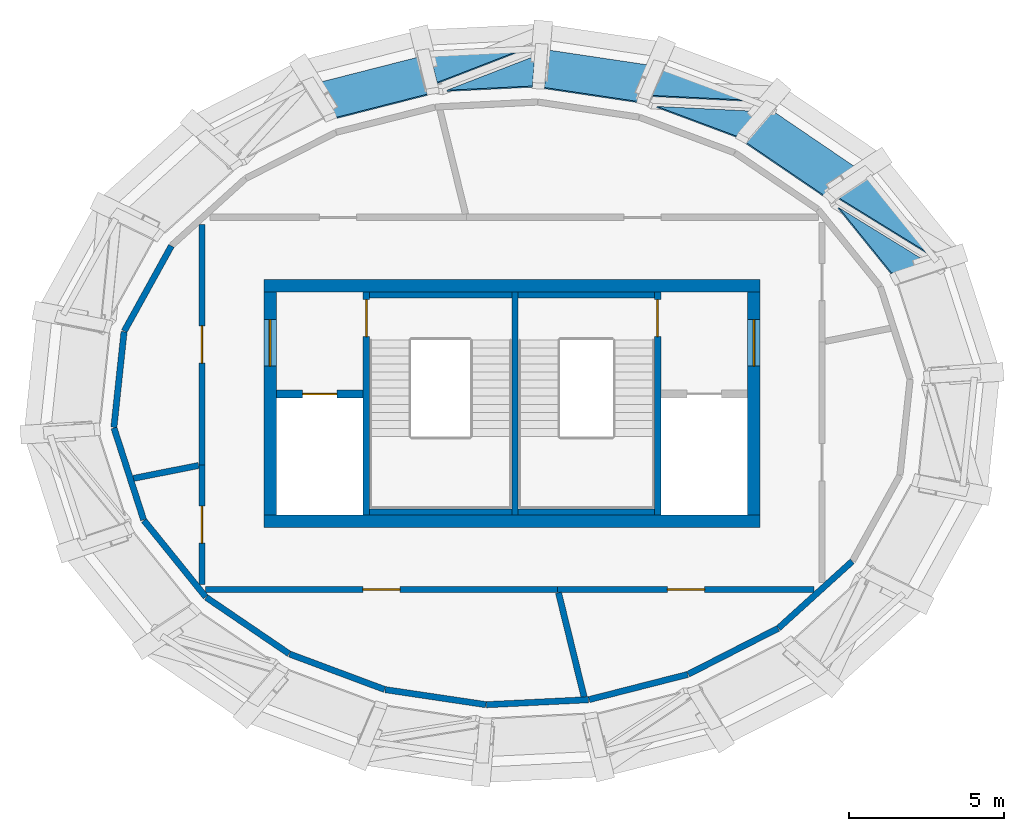
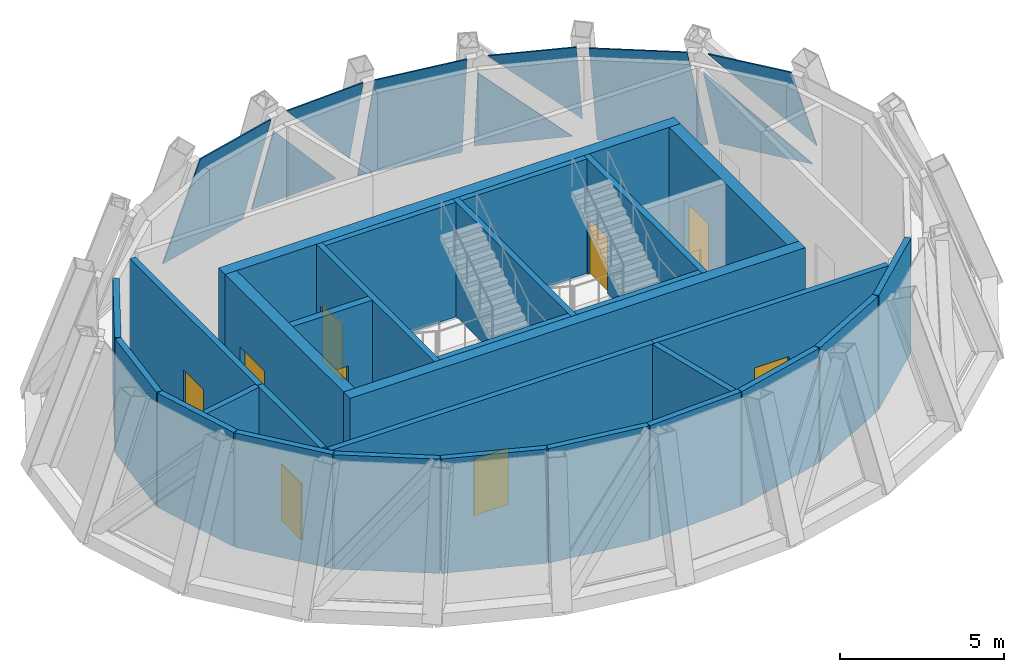
# One storey, part 4 of 6: 27 walls, 9 doors, 9 plates, 9 openings, 1 element without a shape of its own.
"""IFC4 building model written with IfcOpenShell, lengths in metres."""

from ifc_helpers import new_model, si_unit, direction, frame, frame_2d, origin, place, context, subcontext, project, spatial, polyline, rectangle, outline, extrude, source, transform, mapped, material, layer, layer_set, type_object, element, fill, aggregate, save


model = new_model("IFC4")

# Units and contexts
model_context = context("Model", 3, precision=1e-05, world=origin(), true_north=direction((0.0, 1.0)))
body_context = subcontext(model_context, "Body", "Model", "MODEL_VIEW")
ifc_project = project(units=[si_unit("LENGTHUNIT", "METRE"), si_unit("AREAUNIT", "SQUARE_METRE"), si_unit("VOLUMEUNIT", "CUBIC_METRE"), si_unit("PLANEANGLEUNIT", "RADIAN"), si_unit("MASSUNIT", "GRAM", prefix="KILO")], contexts=[model_context])

# Site, building, storey
site_placement = place(None, origin())
site = spatial("IfcSite", under=ifc_project, at=site_placement, CompositionType="ELEMENT")
building_placement = place(site_placement, origin())
building = spatial("IfcBuilding", under=site, at=building_placement, Name="Embergate Tower", CompositionType="ELEMENT")
storey_placement = place(building_placement, frame((0.0, 0.0, 365.5)))
storey = spatial("IfcBuildingStorey", under=building, at=storey_placement, Name="L83", CompositionType="ELEMENT", Elevation=365.5)

# Curtain wall, plates
ifc_material_1 = material(Name="Aluminium and glass", Category="aluminium")
curtain_wall_type = type_object("IfcCurtainWallType", Name="Crown facet glazing", PredefinedType="NOTDEFINED", material=ifc_material_1)
curtain_wall_placement = place(storey_placement, origin())
curtain_wall = element("IfcCurtainWall", 1, at=curtain_wall_placement, inside=storey, type_object=curtain_wall_type, Name="Crown facet glazing L83", ObjectType="CROWN FACET GLAZING", PredefinedType="USERDEFINED")
ifc_material_2 = material(Name="Triple glazing, low-emissivity coating", Category="glass")
ifc_layer_1 = layer(ifc_material_2, 0.0400390625)
ifc_layer_set_1 = layer_set([ifc_layer_1], Name="Triple glazing, low-emissivity coating")
plate_type = type_object("IfcPlateType", Name="Crown facet glazing unit", PredefinedType="CURTAIN_PANEL", material=ifc_layer_set_1)
shared_shape_1 = source(origin(), body_context, "Body", "SweptSolid", [
    extrude(outline(polyline([(0.0, 0.0), (3.028564453125, 0.0), (3.1328125, 3.526123046875), (0.0, 0.0)])), origin(), (0.0, 0.0, -1.0), 0.0400390625),
])
plate_1_placement = place(storey_placement, frame((13.384765625, 4.87548828125, 0.1240234375), z_axis=(0.738870980715, 0.596700903916, 0.313077794045), x_axis=(-0.628286443884, 0.777982097758, 0.0)))
plate_1 = element("IfcPlate", 2, at=plate_1_placement, type_object=plate_type, Name="CW panel 2.1", PredefinedType="CURTAIN_PANEL", context=body_context, shape_type="MappedRepresentation", body=[
    mapped(shared_shape_1, transform((0.0, 0.0, 0.0))),
])
shared_shape_2 = source(origin(), body_context, "Body", "SweptSolid", [
    extrude(outline(polyline([(0.0, 0.0), (4.71533203125, 0.0), (2.9091796875, 2.033203125), (0.0, 0.0)])), origin(), (0.0, 0.0, -1.0), 0.0400390625),
])
plate_2_placement = place(storey_placement, frame((13.367919921875, 4.5703125, 0.986083984375), z_axis=(0.738844183464, 0.596719413809, 0.313105754889), x_axis=(-0.599403308748, 0.369624274091, 0.70999547144)))
plate_2 = element("IfcPlate", 3, at=plate_2_placement, type_object=plate_type, Name="CW panel 2.2", PredefinedType="CURTAIN_PANEL", context=body_context, shape_type="MappedRepresentation", body=[
    mapped(shared_shape_2, transform((0.0, 0.0, 0.0))),
])
shared_shape_3 = source(origin(), body_context, "Body", "SweptSolid", [
    extrude(outline(polyline([(0.0, 0.0), (3.391845703125, 0.0), (3.53564453125, 4.51318359375), (0.541259765625, 4.513427734375), (0.0, 0.0)])), origin(), (0.0, 0.0, -1.0), 0.0400390625),
])
plate_3_placement = place(storey_placement, frame((11.234619140625, 7.510986328125, 0.005859375), z_axis=(0.537621178228, 0.790643599254, 0.292995166648), x_axis=(-0.826935317941, 0.562297056653, 4.680038e-06)))
plate_3 = element("IfcPlate", 4, at=plate_3_placement, type_object=plate_type, Name="CW panel 3.1", PredefinedType="CURTAIN_PANEL", context=body_context, shape_type="MappedRepresentation", body=[
    mapped(shared_shape_3, transform((0.0, 0.0, 0.0))),
])
shared_shape_4 = source(origin(), body_context, "Body", "SweptSolid", [
    extrude(outline(polyline([(0.0, 0.0), (3.040283203125, 0.0), (3.085693359375, 3.525634765625), (0.0, 0.0)])), origin(), (0.0, 0.0, -1.0), 0.0400390625),
])
plate_4_placement = place(storey_placement, frame((7.760986328125, 9.77197265625, 0.150634765625), z_axis=(0.335764956496, 0.899924132193, 0.278205769684), x_axis=(-0.936912014244, 0.349565269393, 0.0)))
plate_4 = element("IfcPlate", 5, at=plate_4_placement, type_object=plate_type, Name="CW panel 4.1", PredefinedType="CURTAIN_PANEL", context=body_context, shape_type="MappedRepresentation", body=[
    mapped(shared_shape_4, transform((0.0, 0.0, 0.0))),
])
shared_shape_5 = source(origin(), body_context, "Body", "SweptSolid", [
    extrude(outline(polyline([(0.0, 0.0), (4.703125, 0.0), (2.898681640625, 2.061767578125), (0.0, 0.0)])), origin(), (0.0, 0.0, -1.0), 0.0400390625),
])
plate_5_placement = place(storey_placement, frame((7.919189453125, 9.418212890625, 0.9423828125), z_axis=(0.335850537793, 0.899880875219, 0.278242388357), x_axis=(-0.690207384258, 0.034105464159, 0.722807432191)))
plate_5 = element("IfcPlate", 6, at=plate_5_placement, type_object=plate_type, Name="CW panel 4.2", PredefinedType="CURTAIN_PANEL", context=body_context, shape_type="MappedRepresentation", body=[
    mapped(shared_shape_5, transform((0.0, 0.0, 0.0))),
])
shared_shape_6 = source(origin(), body_context, "Body", "SweptSolid", [
    extrude(outline(polyline([(0.0, 0.0), (3.416259765625, 0.0), (3.335205078125, 4.493408203125), (0.31689453125, 4.493408203125), (0.0, 0.0)])), origin(), (0.0, 0.0, -1.0), 0.0400390625),
])
plate_6_placement = place(storey_placement, frame((4.52490234375, 10.895751953125, 0.01123046875), z_axis=(0.142069641583, 0.952294013056, 0.270096889353), x_axis=(-0.989053843996, 0.147555052962, -4.696128e-06)))
plate_6 = element("IfcPlate", 7, at=plate_6_placement, type_object=plate_type, Name="CW panel 5.1", PredefinedType="CURTAIN_PANEL", context=body_context, shape_type="MappedRepresentation", body=[
    mapped(shared_shape_6, transform((0.0, 0.0, 0.0))),
])
shared_shape_7 = source(origin(), body_context, "Body", "SweptSolid", [
    extrude(outline(polyline([(0.0, 0.0), (3.054443359375, 0.0), (2.86669921875, 3.539306640625), (0.0, 0.0)])), origin(), (0.0, 0.0, -1.0), 0.0400390625),
])
plate_7_placement = place(storey_placement, frame((0.400390625, 11.440673828125, 0.150146484375), z_axis=(-0.047119881847, 0.962107914308, 0.268566710448), x_axis=(-0.998802844972, -0.048917040743, 0.0)))
plate_7 = element("IfcPlate", 8, at=plate_7_placement, type_object=plate_type, Name="CW panel 6.1", PredefinedType="CURTAIN_PANEL", context=body_context, shape_type="MappedRepresentation", body=[
    mapped(shared_shape_7, transform((0.0, 0.0, 0.0))),
])
shared_shape_8 = source(origin(), body_context, "Body", "SweptSolid", [
    extrude(outline(polyline([(0.0, 0.0), (4.59033203125, 0.0), (2.850830078125, 2.147705078125), (0.0, 0.0)])), origin(), (0.0, 0.0, -1.0), 0.0400390625),
])
plate_8_placement = place(storey_placement, frame((0.736083984375, 11.1982421875, 0.910400390625), z_axis=(-0.047224857512, 0.962110745747, 0.268538127182), x_axis=(-0.618432900758, -0.239278433136, 0.748522931309)))
plate_8 = element("IfcPlate", 9, at=plate_8_placement, type_object=plate_type, Name="CW panel 6.2", PredefinedType="CURTAIN_PANEL", context=body_context, shape_type="MappedRepresentation", body=[
    mapped(shared_shape_8, transform((0.0, 0.0, 0.0))),
])
shared_shape_9 = source(origin(), body_context, "Body", "SweptSolid", [
    extrude(outline(polyline([(0.0, 0.0), (3.412353515625, 0.0), (3.022216796875, 4.496337890625), (0.007080078125, 4.49609375), (0.0, 0.0)])), origin(), (0.0, 0.0, -1.0), 0.0400390625),
])
plate_9_placement = place(storey_placement, frame((-3.031982421875, 11.166015625, 0.002685546875), z_axis=(-0.237886062316, 0.932039456274, 0.273336190987), x_axis=(-0.968937497687, -0.247305732896, 7.225048e-06)))
plate_9 = element("IfcPlate", 10, at=plate_9_placement, type_object=plate_type, Name="CW panel 7.1", PredefinedType="CURTAIN_PANEL", context=body_context, shape_type="MappedRepresentation", body=[
    mapped(shared_shape_9, transform((0.0, 0.0, 0.0))),
])
aggregate(curtain_wall, [plate_1, plate_2, plate_3, plate_4, plate_5, plate_6, plate_7, plate_8, plate_9])

# Walls
ifc_material_3 = material(Name="Concrete C50", Category="concrete")
ifc_layer_2 = layer(ifc_material_3, 0.39990234375)
ifc_layer_set_2 = layer_set([ifc_layer_2], Name="Concrete C50")
wall_type_1 = type_object("IfcWallType", Name="Core outer wall C50 400", PredefinedType="SHEAR", material=ifc_layer_set_2)
shared_shape_10 = source(origin(), body_context, "Body", "SweptSolid", [
    extrude(rectangle(XDim=16.0, YDim=0.39990234375, at=frame_2d((8.0, 0.0))), origin(), (0.0, 0.0, 1.0), 4.5),
])
for number, where, z_axis, x_axis, name in (
    (11, (-8.0, 3.800048828125, -0.25), (0.0, 0.0, 1.0), (1.0, 0.0, 0.0), "CW-L83-N"),
    (12, (-8.0, -3.800048828125, -0.25), (0.0, 0.0, 1.0), (1.0, 0.0, 0.0), "CW-L83-S"),
):
    element("IfcWall", number, at=place(storey_placement, frame(where, z_axis=z_axis, x_axis=x_axis)), inside=storey, type_object=wall_type_1, Name=name, PredefinedType="SHEAR", context=body_context, shape_type="MappedRepresentation", body=[
        mapped(shared_shape_10, transform((0.0, 0.0, 0.0))),
    ])

# Wall, opening, door
shared_shape_11 = source(origin(), body_context, "Body", "SweptSolid", [
    extrude(rectangle(XDim=7.2001953125, YDim=0.39990234375, at=frame_2d((3.60009765625, 0.0))), origin(), (0.0, 0.0, 1.0), 4.5),
])
wall_1_placement = place(storey_placement, frame((7.800048828125, -3.60009765625, -0.25), z_axis=(0.0, 0.0, 1.0), x_axis=(0.0, 1.0, 0.0)))
wall_1 = element("IfcWall", 13, at=wall_1_placement, inside=storey, type_object=wall_type_1, Name="CW-L83-E", PredefinedType="SHEAR", context=body_context, shape_type="MappedRepresentation", body=[
    mapped(shared_shape_11, transform((0.0, 0.0, 0.0))),
])
shared_shape_12 = source(origin(), body_context, "Body", "SweptSolid", [
    extrude(rectangle(XDim=1.5, YDim=2.10009765625, at=frame_2d((0.75, 1.050048828125))), frame((0.0, 0.2099609375, 0.0), z_axis=(0.0, -1.0, 0.0), x_axis=(1.0, 0.0, 0.0)), (0.0, 0.0, 1.0), 0.419921875),
])
opening_1_placement = place(wall_1_placement, frame((4.800048828125, 0.0, 0.25)))
opening_1 = element("IfcOpeningElement", 14, at=opening_1_placement, cuts=wall_1, Name="Opening IF-3", PredefinedType="OPENING", context=body_context, shape_type="MappedRepresentation", body=[
    mapped(shared_shape_12, transform((0.0, 0.0, 0.0))),
])
ifc_material_4 = material(Name="Lobby fire door pair 1500")
door_type_1 = type_object("IfcDoorType", Name="Lobby fire door pair 1500", OperationType="DOUBLE_DOOR_SINGLE_SWING", PredefinedType="DOOR", material=ifc_material_4)
shared_shape_13 = source(origin(), body_context, "Body", "SweptSolid", [
    extrude(rectangle(XDim=1.5, YDim=2.10009765625, at=frame_2d((0.75, 1.050048828125))), frame((0.0, 0.02490234375, 0.0), z_axis=(0.0, -1.0, 0.0), x_axis=(1.0, 0.0, 0.0)), (0.0, 0.0, 1.0), 0.050048828125),
])
door_1_placement = place(opening_1_placement, origin())
door_1 = element("IfcDoor", 15, at=door_1_placement, inside=storey, type_object=door_type_1, Name="IF-3 door", OperationType="DOUBLE_DOOR_SINGLE_SWING", OverallHeight=2.10009765625, OverallWidth=1.5, PredefinedType="DOOR", context=body_context, shape_type="MappedRepresentation", body=[
    mapped(shared_shape_13, transform((0.0, 0.0, 0.0))),
])
fill(opening_1, door_1)

wall_2_placement = place(storey_placement, frame((-7.800048828125, -3.60009765625, -0.25), z_axis=(0.0, 0.0, 1.0), x_axis=(0.0, 1.0, 0.0)))
wall_2 = element("IfcWall", 16, at=wall_2_placement, inside=storey, type_object=wall_type_1, Name="CW-L83-W", PredefinedType="SHEAR", context=body_context, shape_type="MappedRepresentation", body=[
    mapped(shared_shape_11, transform((0.0, 0.0, 0.0))),
])
opening_2_placement = place(wall_2_placement, frame((4.800048828125, 0.0, 0.25)))
opening_2 = element("IfcOpeningElement", 17, at=opening_2_placement, cuts=wall_2, Name="Opening IF-3", PredefinedType="OPENING", context=body_context, shape_type="MappedRepresentation", body=[
    mapped(shared_shape_12, transform((0.0, 0.0, 0.0))),
])
door_2_placement = place(opening_2_placement, origin())
door_2 = element("IfcDoor", 18, at=door_2_placement, inside=storey, type_object=door_type_1, Name="IF-3 door", OperationType="DOUBLE_DOOR_SINGLE_SWING", OverallHeight=2.10009765625, OverallWidth=1.5, PredefinedType="DOOR", context=body_context, shape_type="MappedRepresentation", body=[
    mapped(shared_shape_13, transform((0.0, 0.0, 0.0))),
])
fill(opening_2, door_2)

# Walls
ifc_material_5 = material(Name="Terracotta louvre cladding on insulated backing", Category="masonry")
ifc_layer_3 = layer(ifc_material_5, 0.199951171875)
ifc_layer_set_3 = layer_set([ifc_layer_3], Name="Terracotta louvre cladding on insulated backing")
wall_type_2 = type_object("IfcWallType", Name="Terracotta louvre wall", PredefinedType="SOLIDWALL", material=ifc_layer_set_3)
shared_shape_14 = source(origin(), body_context, "Body", "SweptSolid", [
    extrude(rectangle(XDim=3.174560546875, YDim=0.199951171875, at=frame_2d((1.58740234375, 0.0))), origin(), (0.0, 0.0, 1.0), 4.25),
])
wall_3_placement = place(storey_placement, frame((-9.87646484375, -6.24560546875, 0.0), z_axis=(0.0, 0.0, 1.0), x_axis=(-0.628308465475, 0.777964312943, 0.0)))
element("IfcWall", 19, at=wall_3_placement, inside=storey, type_object=wall_type_2, Name="Crown louvre wall 12", PredefinedType="SOLIDWALL", context=body_context, shape_type="MappedRepresentation", body=[
    mapped(shared_shape_14, transform((0.0, 0.0, 0.0))),
])
shared_shape_15 = source(origin(), body_context, "Body", "SweptSolid", [
    extrude(rectangle(XDim=3.23046875, YDim=0.199951171875, at=frame_2d((1.615234375, 0.0))), origin(), (0.0, 0.0, 1.0), 4.25),
])
wall_4_placement = place(storey_placement, frame((-7.190673828125, -8.07568359375, 0.0), z_axis=(0.0, 0.0, 1.0), x_axis=(-0.826887140507, 0.562367901701, 0.0)))
element("IfcWall", 20, at=wall_4_placement, inside=storey, type_object=wall_type_2, Name="Crown louvre wall 13", PredefinedType="SOLIDWALL", context=body_context, shape_type="MappedRepresentation", body=[
    mapped(shared_shape_15, transform((0.0, 0.0, 0.0))),
])
shared_shape_16 = source(origin(), body_context, "Body", "SweptSolid", [
    extrude(rectangle(XDim=3.269287109375, YDim=0.199951171875, at=frame_2d((1.634765625, 0.0))), origin(), (0.0, 0.0, 1.0), 4.25),
])
wall_5_placement = place(storey_placement, frame((-4.110107421875, -9.227783203125, 0.0), z_axis=(0.0, 0.0, 1.0), x_axis=(-0.936886529357, 0.34963356691, 0.0)))
element("IfcWall", 21, at=wall_5_placement, inside=storey, type_object=wall_type_2, Name="Crown louvre wall 14", PredefinedType="SOLIDWALL", context=body_context, shape_type="MappedRepresentation", body=[
    mapped(shared_shape_16, transform((0.0, 0.0, 0.0))),
])
shared_shape_17 = source(origin(), body_context, "Body", "SweptSolid", [
    extrude(rectangle(XDim=3.28759765625, YDim=0.199951171875, at=frame_2d((1.643798828125, 0.0))), origin(), (0.0, 0.0, 1.0), 4.25),
])
wall_6_placement = place(storey_placement, frame((-0.839111328125, -9.718017578125, 0.0), z_axis=(0.0, 0.0, 1.0), x_axis=(-0.989054235862, 0.147552426358, 0.0)))
element("IfcWall", 22, at=wall_6_placement, inside=storey, type_object=wall_type_2, Name="Crown louvre wall 15", PredefinedType="SOLIDWALL", context=body_context, shape_type="MappedRepresentation", body=[
    mapped(shared_shape_17, transform((0.0, 0.0, 0.0))),
])
shared_shape_18 = source(origin(), body_context, "Body", "SweptSolid", [
    extrude(rectangle(XDim=3.29150390625, YDim=0.199951171875, at=frame_2d((1.645751953125, 0.0))), origin(), (0.0, 0.0, 1.0), 4.25),
])
wall_7_placement = place(storey_placement, frame((2.46826171875, -9.5576171875, 0.0), z_axis=(0.0, 0.0, 1.0), x_axis=(-0.998797426177, -0.049027558199, 0.0)))
element("IfcWall", 23, at=wall_7_placement, inside=storey, type_object=wall_type_2, Name="Crown louvre wall 16", PredefinedType="SOLIDWALL", context=body_context, shape_type="MappedRepresentation", body=[
    mapped(shared_shape_18, transform((0.0, 0.0, 0.0))),
])
shared_shape_19 = source(origin(), body_context, "Body", "SweptSolid", [
    extrude(rectangle(XDim=3.280029296875, YDim=0.199951171875, at=frame_2d((1.64013671875, 0.0))), origin(), (0.0, 0.0, 1.0), 4.25),
])
wall_8_placement = place(storey_placement, frame((5.666015625, -8.7431640625, 0.0), z_axis=(0.0, 0.0, 1.0), x_axis=(-0.968908599462, -0.247418927911, 0.0)))
element("IfcWall", 24, at=wall_8_placement, inside=storey, type_object=wall_type_2, Name="Crown louvre wall 17", PredefinedType="SOLIDWALL", context=body_context, shape_type="MappedRepresentation", body=[
    mapped(shared_shape_19, transform((0.0, 0.0, 0.0))),
])
shared_shape_20 = source(origin(), body_context, "Body", "SweptSolid", [
    extrude(rectangle(XDim=3.25341796875, YDim=0.199951171875, at=frame_2d((1.626708984375, 0.0))), origin(), (0.0, 0.0, 1.0), 4.25),
])
wall_9_placement = place(storey_placement, frame((8.582275390625, -7.257080078125, 0.0), z_axis=(0.0, 0.0, 1.0), x_axis=(-0.89068931978, -0.45461251152, 0.0)))
element("IfcWall", 25, at=wall_9_placement, inside=storey, type_object=wall_type_2, Name="Crown louvre wall 18", PredefinedType="SOLIDWALL", context=body_context, shape_type="MappedRepresentation", body=[
    mapped(shared_shape_20, transform((0.0, 0.0, 0.0))),
])
shared_shape_21 = source(origin(), body_context, "Body", "SweptSolid", [
    extrude(rectangle(XDim=3.205322265625, YDim=0.199951171875, at=frame_2d((1.6025390625, 0.0))), origin(), (0.0, 0.0, 1.0), 4.25),
])
wall_10_placement = place(storey_placement, frame((10.973876953125, -5.09423828125, 0.0), z_axis=(0.0, 0.0, 1.0), x_axis=(-0.741131432131, -0.671359963289, 0.0)))
element("IfcWall", 26, at=wall_10_placement, inside=storey, type_object=wall_type_2, Name="Crown louvre wall 19", PredefinedType="SOLIDWALL", context=body_context, shape_type="MappedRepresentation", body=[
    mapped(shared_shape_21, transform((0.0, 0.0, 0.0))),
])
shared_shape_22 = source(origin(), body_context, "Body", "SweptSolid", [
    extrude(rectangle(XDim=3.14208984375, YDim=0.199951171875, at=frame_2d((1.571044921875, 0.0))), origin(), (0.0, 0.0, 1.0), 4.25),
])
wall_11_placement = place(storey_placement, frame((-12.506103515625, 2.328857421875, 0.0), z_axis=(0.0, 0.0, 1.0), x_axis=(0.48375502956, 0.875203445706, 0.0)))
element("IfcWall", 27, at=wall_11_placement, inside=storey, type_object=wall_type_2, Name="Crown louvre wall 9", PredefinedType="SOLIDWALL", context=body_context, shape_type="MappedRepresentation", body=[
    mapped(shared_shape_22, transform((0.0, 0.0, 0.0))),
])
shared_shape_23 = source(origin(), body_context, "Body", "SweptSolid", [
    extrude(rectangle(XDim=3.101318359375, YDim=0.199951171875, at=frame_2d((1.55078125, 0.0))), origin(), (0.0, 0.0, 1.0), 4.25),
])
wall_12_placement = place(storey_placement, frame((-12.840087890625, -0.773681640625, 0.0), z_axis=(0.0, 0.0, 1.0), x_axis=(0.105721464197, 0.994395782376, 0.0)))
element("IfcWall", 28, at=wall_12_placement, inside=storey, type_object=wall_type_2, Name="Crown louvre wall 10", PredefinedType="SOLIDWALL", context=body_context, shape_type="MappedRepresentation", body=[
    mapped(shared_shape_23, transform((0.0, 0.0, 0.0))),
])
shared_shape_24 = source(origin(), body_context, "Body", "SweptSolid", [
    extrude(rectangle(XDim=3.1162109375, YDim=0.199951171875, at=frame_2d((1.55810546875, 0.0))), origin(), (0.0, 0.0, 1.0), 4.25),
])
wall_13_placement = place(storey_placement, frame((-11.880615234375, -3.758544921875, 0.0), z_axis=(0.0, 0.0, 1.0), x_axis=(-0.307282044067, 0.951618487312, 0.0)))
element("IfcWall", 29, at=wall_13_placement, inside=storey, type_object=wall_type_2, Name="Crown louvre wall 11", PredefinedType="SOLIDWALL", context=body_context, shape_type="MappedRepresentation", body=[
    mapped(shared_shape_24, transform((0.0, 0.0, 0.0))),
])
ifc_layer_4 = layer(ifc_material_3, 0.199951171875)
ifc_layer_set_4 = layer_set([ifc_layer_4], Name="Concrete C50")
wall_type_3 = type_object("IfcWallType", Name="Stair enclosure wall reinforced concrete 250", PredefinedType="SHEAR", material=ifc_layer_set_4)
shared_shape_25 = source(origin(), body_context, "Body", "SweptSolid", [
    extrude(rectangle(XDim=7.2001953125, YDim=0.199951171875, at=frame_2d((3.60009765625, 0.0))), origin(), (0.0, 0.0, 1.0), 4.25),
])
wall_14_placement = place(storey_placement, frame((0.10009765625, 3.60009765625, 0.0), z_axis=(0.0, 0.0, 1.0), x_axis=(0.0, -1.0, 0.0)))
element("IfcWall", 30, at=wall_14_placement, inside=storey, type_object=wall_type_3, Name="SE-1 wall", PredefinedType="SHEAR", context=body_context, shape_type="MappedRepresentation", body=[
    mapped(shared_shape_25, transform((0.0, 0.0, 0.0))),
])

# Wall, opening, door
wall_15_placement = place(storey_placement, frame((4.699951171875, -3.60009765625, 0.0), z_axis=(0.0, 0.0, 1.0), x_axis=(0.0, 1.0, 0.0)))
wall_15 = element("IfcWall", 31, at=wall_15_placement, inside=storey, type_object=wall_type_3, Name="SE-1 wall", PredefinedType="SHEAR", context=body_context, shape_type="MappedRepresentation", body=[
    mapped(shared_shape_25, transform((0.0, 0.0, 0.0))),
])
shared_shape_26 = source(origin(), body_context, "Body", "SweptSolid", [
    extrude(rectangle(XDim=1.199951171875, YDim=2.10009765625, at=frame_2d((0.60009765625, 1.050048828125))), frame((0.0, 0.10986328125, 0.0), z_axis=(0.0, -1.0, 0.0), x_axis=(1.0, 0.0, 0.0)), (0.0, 0.0, 1.0), 0.219970703125),
])
opening_3_placement = place(wall_15_placement, frame((5.75, 0.0, 0.0)))
opening_3 = element("IfcOpeningElement", 32, at=opening_3_placement, cuts=wall_15, Name="Opening IF-2", PredefinedType="OPENING", context=body_context, shape_type="MappedRepresentation", body=[
    mapped(shared_shape_26, transform((0.0, 0.0, 0.0))),
])
ifc_material_6 = material(Name="Stair enclosure door 1200")
door_type_2 = type_object("IfcDoorType", Name="Stair enclosure door 1200", OperationType="SINGLE_SWING_LEFT", PredefinedType="DOOR", material=ifc_material_6)
shared_shape_27 = source(origin(), body_context, "Body", "SweptSolid", [
    extrude(rectangle(XDim=1.199951171875, YDim=2.10009765625, at=frame_2d((0.60009765625, 1.050048828125))), frame((0.0, 0.02490234375, 0.0), z_axis=(0.0, -1.0, 0.0), x_axis=(1.0, 0.0, 0.0)), (0.0, 0.0, 1.0), 0.050048828125),
])
door_3_placement = place(opening_3_placement, origin())
door_3 = element("IfcDoor", 33, at=door_3_placement, inside=storey, type_object=door_type_2, Name="IF-2 door", OperationType="SINGLE_SWING_RIGHT", OverallHeight=2.10009765625, OverallWidth=1.199951171875, PredefinedType="DOOR", context=body_context, shape_type="MappedRepresentation", body=[
    mapped(shared_shape_27, transform((0.0, 0.0, 0.0))),
])
fill(opening_3, door_3)

wall_16_placement = place(storey_placement, frame((-4.699951171875, 3.60009765625, 0.0), z_axis=(0.0, 0.0, 1.0), x_axis=(0.0, -1.0, 0.0)))
wall_16 = element("IfcWall", 34, at=wall_16_placement, inside=storey, type_object=wall_type_3, Name="SE-1 wall", PredefinedType="SHEAR", context=body_context, shape_type="MappedRepresentation", body=[
    mapped(shared_shape_25, transform((0.0, 0.0, 0.0))),
])
opening_4_placement = place(wall_16_placement, frame((0.25, 0.0, 0.0)))
opening_4 = element("IfcOpeningElement", 35, at=opening_4_placement, cuts=wall_16, Name="Opening IF-2", PredefinedType="OPENING", context=body_context, shape_type="MappedRepresentation", body=[
    mapped(shared_shape_26, transform((0.0, 0.0, 0.0))),
])
door_4_placement = place(opening_4_placement, origin())
door_4 = element("IfcDoor", 36, at=door_4_placement, inside=storey, type_object=door_type_2, Name="IF-2 door", OperationType="SINGLE_SWING_LEFT", OverallHeight=2.10009765625, OverallWidth=1.199951171875, PredefinedType="DOOR", context=body_context, shape_type="MappedRepresentation", body=[
    mapped(shared_shape_27, transform((0.0, 0.0, 0.0))),
])
fill(opening_4, door_4)

ifc_layer_5 = layer(ifc_material_3, 0.25)
ifc_layer_set_5 = layer_set([ifc_layer_5], Name="Concrete C50")
wall_type_4 = type_object("IfcWallType", Name="Hoistway wall reinforced concrete 250", PredefinedType="SHEAR", material=ifc_layer_set_5)
shared_shape_28 = source(origin(), body_context, "Body", "SweptSolid", [
    extrude(rectangle(XDim=2.800048828125, YDim=0.25, at=frame_2d((1.39990234375, 0.0))), origin(), (0.0, 0.0, 1.0), 4.25),
])
wall_17_placement = place(storey_placement, frame((-4.800048828125, 0.300048828125, 0.0), z_axis=(0.0, 0.0, 1.0), x_axis=(-1.0, 0.0, 0.0)))
wall_17 = element("IfcWall", 37, at=wall_17_placement, inside=storey, type_object=wall_type_4, Name="HW-1 wall", PredefinedType="SHEAR", context=body_context, shape_type="MappedRepresentation", body=[
    mapped(shared_shape_28, transform((0.0, 0.0, 0.0))),
])
shared_shape_29 = source(origin(), body_context, "Body", "SweptSolid", [
    extrude(rectangle(XDim=1.10009765625, YDim=2.10009765625, at=frame_2d((0.550048828125, 1.050048828125))), frame((0.0, 0.135009765625, 0.0), z_axis=(0.0, -1.0, 0.0), x_axis=(1.0, 0.0, 0.0)), (0.0, 0.0, 1.0), 0.27001953125),
])
opening_5_placement = place(wall_17_placement, frame((0.85009765625, 0.0, 0.0)))
opening_5 = element("IfcOpeningElement", 38, at=opening_5_placement, cuts=wall_17, Name="Opening LD", PredefinedType="OPENING", context=body_context, shape_type="MappedRepresentation", body=[
    mapped(shared_shape_29, transform((0.0, 0.0, 0.0))),
])
ifc_material_7 = material(Name="Landing door sliding 1100")
door_type_3 = type_object("IfcDoorType", Name="Landing door sliding 1100", OperationType="SLIDING_TO_LEFT", PredefinedType="DOOR", material=ifc_material_7)
shared_shape_30 = source(origin(), body_context, "Body", "SweptSolid", [
    extrude(rectangle(XDim=1.10009765625, YDim=2.10009765625, at=frame_2d((0.550048828125, 1.050048828125))), frame((0.0, 0.02490234375, 0.0), z_axis=(0.0, -1.0, 0.0), x_axis=(1.0, 0.0, 0.0)), (0.0, 0.0, 1.0), 0.050048828125),
])
door_5_placement = place(opening_5_placement, origin())
door_5 = element("IfcDoor", 39, at=door_5_placement, inside=storey, type_object=door_type_3, Name="LD door", OperationType="SLIDING_TO_RIGHT", OverallHeight=2.10009765625, OverallWidth=1.10009765625, PredefinedType="DOOR", context=body_context, shape_type="MappedRepresentation", body=[
    mapped(shared_shape_30, transform((0.0, 0.0, 0.0))),
])
fill(opening_5, door_5)

# Walls
shared_shape_31 = source(origin(), body_context, "Body", "SweptSolid", [
    extrude(rectangle(XDim=9.59619140625, YDim=0.199951171875, at=frame_2d((4.798095703125, 0.0))), origin(), (0.0, 0.0, 1.0), 4.25),
])
for number, where, z_axis, x_axis, name in (
    (40, (-4.798095703125, -3.5, 0.0), (0.0, 0.0, 1.0), (1.0, 0.0, 0.0), "SE-1 wall"),
    (41, (4.798095703125, 3.5, 0.0), (0.0, 0.0, 1.0), (-1.0, 0.0, 0.0), "SE-1 wall"),
):
    element("IfcWall", number, at=place(storey_placement, frame(where, z_axis=z_axis, x_axis=x_axis)), inside=storey, type_object=wall_type_3, Name=name, PredefinedType="SHEAR", context=body_context, shape_type="MappedRepresentation", body=[
        mapped(shared_shape_31, transform((0.0, 0.0, 0.0))),
    ])

# Wall, opening, door
ifc_material_8 = material(Name="Blockwork, plastered", Category="masonry")
ifc_layer_6 = layer(ifc_material_8, 0.199951171875)
ifc_layer_set_6 = layer_set([ifc_layer_6], Name="Blockwork, plastered")
wall_type_5 = type_object("IfcWallType", Name="Fire partition wall 200 block", PredefinedType="PARTITIONING", material=ifc_layer_set_6)
shared_shape_32 = source(origin(), body_context, "Body", "SweptSolid", [
    extrude(rectangle(XDim=3.858154296875, YDim=0.199951171875, at=frame_2d((1.92919921875, 0.0))), origin(), (0.0, 0.0, 1.0), 4.25),
])
wall_18_placement = place(storey_placement, frame((-10.0, -5.840087890625, 0.0), z_axis=(0.0, 0.0, 1.0), x_axis=(0.0, 1.0, 0.0)))
wall_18 = element("IfcWall", 42, at=wall_18_placement, inside=storey, type_object=wall_type_5, Name="Partition 001", PredefinedType="PARTITIONING", context=body_context, shape_type="MappedRepresentation", body=[
    mapped(shared_shape_32, transform((0.0, 0.0, 0.0))),
])
opening_6_placement = place(wall_18_placement, frame((1.3291015625, 0.0, 0.0)))
opening_6 = element("IfcOpeningElement", 43, at=opening_6_placement, cuts=wall_18, Name="Opening DS-293", PredefinedType="OPENING", context=body_context, shape_type="MappedRepresentation", body=[
    mapped(shared_shape_26, transform((0.0, 0.0, 0.0))),
])
ifc_material_9 = material(Name="Timber door leaf, steel frame", Category="steel")
door_type_4 = type_object("IfcDoorType", Name="Plant door 1200x2100", OperationType="SINGLE_SWING_LEFT", PredefinedType="DOOR", material=ifc_material_9)
shared_shape_33 = source(origin(), body_context, "Body", "SweptSolid", [
    extrude(rectangle(XDim=1.199951171875, YDim=2.10009765625, at=frame_2d((0.60009765625, 1.050048828125))), frame((0.0, 0.02490234375, 0.0), z_axis=(0.0, -1.0, 0.0), x_axis=(1.0, 0.0, 0.0)), (0.0, 0.0, 1.0), 0.050048828125),
])
door_6_placement = place(opening_6_placement, origin())
door_6 = element("IfcDoor", 44, at=door_6_placement, inside=storey, type_object=door_type_4, Name="Door to Crown air handling plant room", OperationType="SINGLE_SWING_LEFT", OverallHeight=2.10009765625, OverallWidth=1.199951171875, PredefinedType="DOOR", context=body_context, shape_type="MappedRepresentation", body=[
    mapped(shared_shape_33, transform((0.0, 0.0, 0.0))),
])
fill(opening_6, door_6)

# Wall
shared_shape_34 = source(origin(), body_context, "Body", "SweptSolid", [
    extrude(rectangle(XDim=2.14111328125, YDim=0.199951171875, at=frame_2d((1.070556640625, 0.0))), origin(), (0.0, 0.0, 1.0), 4.25),
])
wall_19_placement = place(storey_placement, frame((-10.10791015625, -2.0029296875, 0.0), z_axis=(0.0, 0.0, 1.0), x_axis=(-0.980851641364, -0.194756405888, 0.0)))
element("IfcWall", 45, at=wall_19_placement, inside=storey, type_object=wall_type_5, Name="Partition 002", PredefinedType="PARTITIONING", context=body_context, shape_type="MappedRepresentation", body=[
    mapped(shared_shape_34, transform((0.0, 0.0, 0.0))),
])

# Wall, opening, door
shared_shape_35 = source(origin(), body_context, "Body", "SweptSolid", [
    extrude(rectangle(XDim=7.759033203125, YDim=0.199951171875, at=frame_2d((3.87939453125, 0.0))), origin(), (0.0, 0.0, 1.0), 4.25),
])
wall_20_placement = place(storey_placement, frame((-10.0, -1.98193359375, 0.0), z_axis=(0.0, 0.0, 1.0), x_axis=(0.0, 1.0, 0.0)))
wall_20 = element("IfcWall", 46, at=wall_20_placement, inside=storey, type_object=wall_type_5, Name="Partition 003", PredefinedType="PARTITIONING", context=body_context, shape_type="MappedRepresentation", body=[
    mapped(shared_shape_35, transform((0.0, 0.0, 0.0))),
])
opening_7_placement = place(wall_20_placement, frame((3.280029296875, 0.0, 0.0)))
opening_7 = element("IfcOpeningElement", 47, at=opening_7_placement, cuts=wall_20, Name="Opening DS-292", PredefinedType="OPENING", context=body_context, shape_type="MappedRepresentation", body=[
    mapped(shared_shape_26, transform((0.0, 0.0, 0.0))),
])
door_7_placement = place(opening_7_placement, origin())
door_7 = element("IfcDoor", 48, at=door_7_placement, inside=storey, type_object=door_type_4, Name="Door to Crown electrical plant room", OperationType="SINGLE_SWING_LEFT", OverallHeight=2.10009765625, OverallWidth=1.199951171875, PredefinedType="DOOR", context=body_context, shape_type="MappedRepresentation", body=[
    mapped(shared_shape_33, transform((0.0, 0.0, 0.0))),
])
fill(opening_7, door_7)

shared_shape_36 = source(origin(), body_context, "Body", "SweptSolid", [
    extrude(rectangle(XDim=8.269775390625, YDim=0.199951171875, at=frame_2d((4.134765625, 0.0))), origin(), (0.0, 0.0, 1.0), 4.25),
])
wall_21_placement = place(storey_placement, frame((9.743896484375, -6.0, 0.0), z_axis=(0.0, 0.0, 1.0), x_axis=(-1.0, 0.0, 0.0)))
wall_21 = element("IfcWall", 49, at=wall_21_placement, inside=storey, type_object=wall_type_5, Name="Partition 009", PredefinedType="PARTITIONING", context=body_context, shape_type="MappedRepresentation", body=[
    mapped(shared_shape_36, transform((0.0, 0.0, 0.0))),
])
opening_8_placement = place(wall_21_placement, frame((3.534912109375, 0.0, 0.0)))
opening_8 = element("IfcOpeningElement", 50, at=opening_8_placement, cuts=wall_21, Name="Opening DS-295", PredefinedType="OPENING", context=body_context, shape_type="MappedRepresentation", body=[
    mapped(shared_shape_26, transform((0.0, 0.0, 0.0))),
])
door_8_placement = place(opening_8_placement, origin())
door_8 = element("IfcDoor", 51, at=door_8_placement, inside=storey, type_object=door_type_4, Name="Door to Crown pump plant room", OperationType="SINGLE_SWING_LEFT", OverallHeight=2.10009765625, OverallWidth=1.199951171875, PredefinedType="DOOR", context=body_context, shape_type="MappedRepresentation", body=[
    mapped(shared_shape_33, transform((0.0, 0.0, 0.0))),
])
fill(opening_8, door_8)

# Wall
shared_shape_37 = source(origin(), body_context, "Body", "SweptSolid", [
    extrude(rectangle(XDim=3.4580078125, YDim=0.199951171875, at=frame_2d((1.72900390625, 0.0))), origin(), (0.0, 0.0, 1.0), 4.25),
])
wall_22_placement = place(storey_placement, frame((1.5, -6.10693359375, 0.0), z_axis=(0.0, 0.0, 1.0), x_axis=(0.238563284271, -0.971126953286, 0.0)))
element("IfcWall", 52, at=wall_22_placement, inside=storey, type_object=wall_type_5, Name="Partition 008", PredefinedType="PARTITIONING", context=body_context, shape_type="MappedRepresentation", body=[
    mapped(shared_shape_37, transform((0.0, 0.0, 0.0))),
])

# Wall, opening, door
shared_shape_38 = source(origin(), body_context, "Body", "SweptSolid", [
    extrude(rectangle(XDim=11.365234375, YDim=0.199951171875, at=frame_2d((5.6826171875, 0.0))), origin(), (0.0, 0.0, 1.0), 4.25),
])
wall_23_placement = place(storey_placement, frame((1.47412109375, -6.0, 0.0), z_axis=(0.0, 0.0, 1.0), x_axis=(-1.0, 0.0, 0.0)))
wall_23 = element("IfcWall", 53, at=wall_23_placement, inside=storey, type_object=wall_type_5, Name="Partition 007", PredefinedType="PARTITIONING", context=body_context, shape_type="MappedRepresentation", body=[
    mapped(shared_shape_38, transform((0.0, 0.0, 0.0))),
])
opening_9_placement = place(wall_23_placement, frame((5.08203125, 0.0, 0.0)))
opening_9 = element("IfcOpeningElement", 54, at=opening_9_placement, cuts=wall_23, Name="Opening DS-294", PredefinedType="OPENING", context=body_context, shape_type="MappedRepresentation", body=[
    mapped(shared_shape_26, transform((0.0, 0.0, 0.0))),
])
door_9_placement = place(opening_9_placement, origin())
door_9 = element("IfcDoor", 55, at=door_9_placement, inside=storey, type_object=door_type_4, Name="Door to Crown air handling plant room", OperationType="SINGLE_SWING_LEFT", OverallHeight=2.10009765625, OverallWidth=1.199951171875, PredefinedType="DOOR", context=body_context, shape_type="MappedRepresentation", body=[
    mapped(shared_shape_33, transform((0.0, 0.0, 0.0))),
])
fill(opening_9, door_9)

save(model, "model.ifc")
